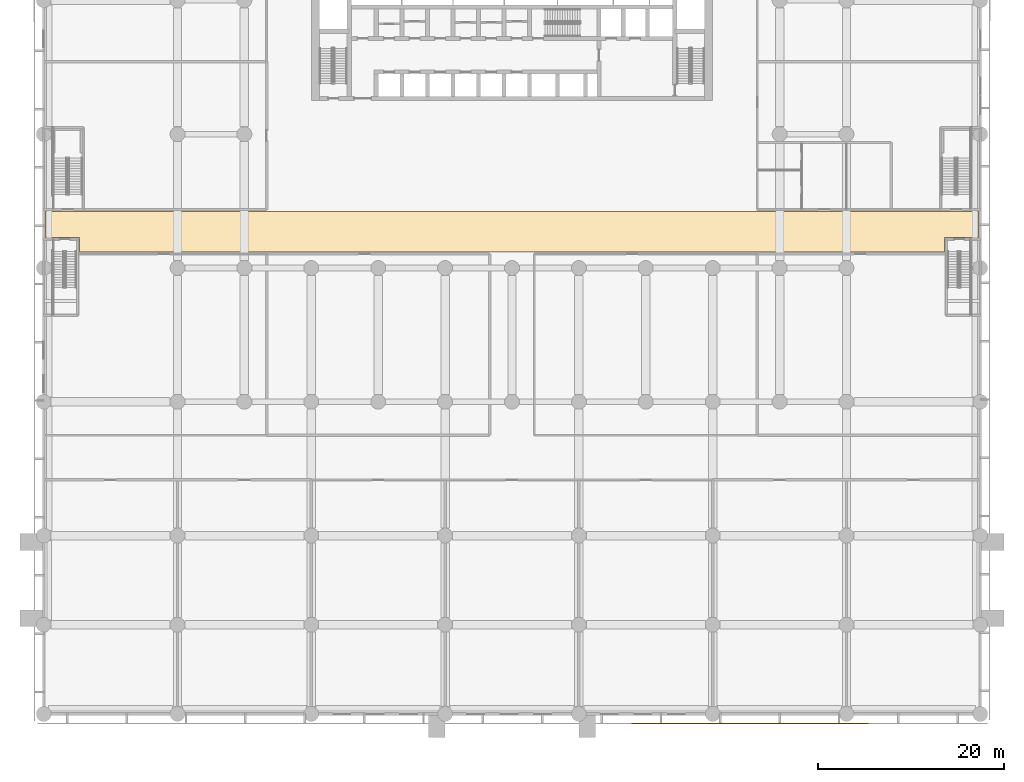
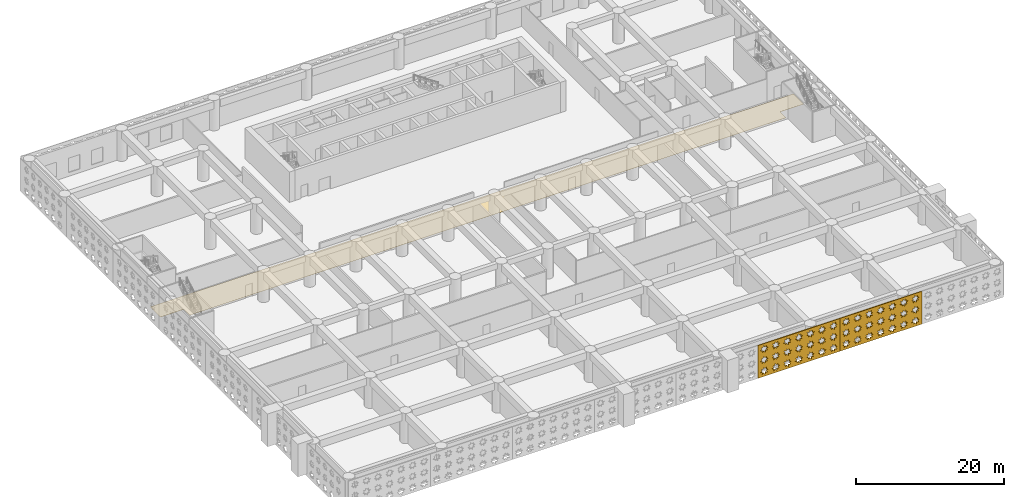
# One storey, part 19 of 30: 3 coverings.
"""IFC4 building model written with IfcOpenShell, lengths in metres."""

from ifc_helpers import new_model, si_unit, direction, frame, origin, place, context, subcontext, project, spatial, polyline, outline, extrude, material, layer, layer_set, type_object, element, save


model = new_model("IFC4")

# Units and contexts
model_context = context("Model", 3, precision=1e-05, world=origin(), true_north=direction((0.0, 1.0)))
body_context = subcontext(model_context, "Body", "Model", "MODEL_VIEW")
ifc_project = project(units=[si_unit("LENGTHUNIT", "METRE"), si_unit("AREAUNIT", "SQUARE_METRE"), si_unit("VOLUMEUNIT", "CUBIC_METRE"), si_unit("PLANEANGLEUNIT", "RADIAN"), si_unit("MASSUNIT", "GRAM", prefix="KILO")], contexts=[model_context])

# Site, building, storey
site_placement = place(None, origin())
site = spatial("IfcSite", under=ifc_project, at=site_placement, CompositionType="ELEMENT")
building_placement = place(site_placement, origin())
building = spatial("IfcBuilding", under=site, at=building_placement, Name="Saffron Iwan Residences", CompositionType="ELEMENT")
storey_placement = place(building_placement, frame((0.0, 0.0, 7.800048828125)))
storey = spatial("IfcBuildingStorey", under=building, at=storey_placement, Name="L01", CompositionType="ELEMENT", Elevation=7.800048828125)

# Coverings
ifc_material_1 = material(Name="Carpet flooring")
ifc_layer_1 = layer(ifc_material_1, 0.010009765625)
ifc_layer_set_1 = layer_set([ifc_layer_1], Name="Carpet flooring")
covering_type_1 = type_object("IfcCoveringType", Name="Carpet flooring 10", PredefinedType="FLOORING", material=ifc_layer_set_1)
covering_1_placement = place(storey_placement, origin())
element("IfcCovering", 1, at=covering_1_placement, inside=storey, type_object=covering_type_1, Name="Podium corridor flooring", PredefinedType="FLOORING", context=body_context, shape_type="SweptSolid", body=[
    extrude(outline(polyline([(100.60009765625, 51.300048828125), (96.949951171875, 51.300048828125), (96.949951171875, 49.699951171875), (3.85009765625, 49.699951171875), (3.85009765625, 51.300048828125), (0.199951171875, 51.300048828125), (0.199951171875, 54.10009765625), (100.60009765625, 54.10009765625), (100.60009765625, 51.300048828125)])), origin(), (0.0, 0.0, 1.0), 0.010009765625),
])
ifc_material_2 = material(Name="Terracotta screen, precast concrete C40/50", Category="masonry")
ifc_layer_2 = layer(ifc_material_2, 0.1201171875)
ifc_layer_set_2 = layer_set([ifc_layer_2], Name="Terracotta screen, precast concrete C40/50")
covering_type_2 = type_object("IfcCoveringType", Name="PODIUM SCREEN GIRIH", PredefinedType="CLADDING", material=ifc_layer_set_2)
covering_2_placement = place(storey_placement, frame((63.237548828125, -0.949951171875, -0.400146484375), z_axis=(0.0, -1.0, 0.0), x_axis=(1.0, 0.0, 0.0)))
element("IfcCovering", 2, at=covering_2_placement, inside=storey, type_object=covering_type_2, Name="SCREEN girih terracotta L01 F0.5", PredefinedType="CLADDING", context=body_context, shape_type="SweptSolid", body=[
    extrude(outline(polyline([(0.0, 0.0), (12.777587890625, 0.0), (12.777587890625, 5.39990234375), (0.0, 5.39990234375), (0.0, 0.0)]), holes=[polyline([(1.5966796875, 1.02099609375), (1.271484375, 1.0888671875), (1.333251953125, 1.41552734375), (1.05517578125, 1.2333984375), (0.867919921875, 1.508056640625), (0.7998046875, 1.1826171875), (0.47314453125, 1.244384765625), (0.6552734375, 0.96630859375), (0.380615234375, 0.779052734375), (0.7060546875, 0.711181640625), (0.644287109375, 0.384521484375), (0.92236328125, 0.56640625), (1.109619140625, 0.2919921875), (1.177490234375, 0.6171875), (1.50439453125, 0.555419921875), (1.322265625, 0.833740234375), (1.5966796875, 1.02099609375)]), polyline([(1.5966796875, 2.821044921875), (1.271484375, 2.888916015625), (1.333251953125, 3.215576171875), (1.05517578125, 3.033447265625), (0.867919921875, 3.30810546875), (0.7998046875, 2.982666015625), (0.47314453125, 3.04443359375), (0.6552734375, 2.766357421875), (0.380615234375, 2.5791015625), (0.7060546875, 2.510986328125), (0.644287109375, 2.1845703125), (0.92236328125, 2.366455078125), (1.109619140625, 2.091796875), (1.177490234375, 2.417236328125), (1.50439453125, 2.35546875), (1.322265625, 2.6337890625), (1.5966796875, 2.821044921875)]), polyline([(1.5966796875, 4.62109375), (1.271484375, 4.68896484375), (1.333251953125, 5.015380859375), (1.05517578125, 4.83349609375), (0.867919921875, 5.108154296875), (0.7998046875, 4.78271484375), (0.47314453125, 4.844482421875), (0.6552734375, 4.56640625), (0.380615234375, 4.37890625), (0.7060546875, 4.31103515625), (0.644287109375, 3.984619140625), (0.92236328125, 4.16650390625), (1.109619140625, 3.891845703125), (1.177490234375, 4.21728515625), (1.50439453125, 4.155517578125), (1.322265625, 4.43359375), (1.5966796875, 4.62109375)]), polyline([(3.396728515625, 1.02099609375), (3.0712890625, 1.0888671875), (3.13330078125, 1.41552734375), (2.85498046875, 1.2333984375), (2.667724609375, 1.508056640625), (2.599853515625, 1.1826171875), (2.273193359375, 1.244384765625), (2.455322265625, 0.96630859375), (2.1806640625, 0.779052734375), (2.506103515625, 0.711181640625), (2.4443359375, 0.384521484375), (2.722412109375, 0.56640625), (2.90966796875, 0.2919921875), (2.9775390625, 0.6171875), (3.30419921875, 0.555419921875), (3.122314453125, 0.833740234375), (3.396728515625, 1.02099609375)]), polyline([(3.396728515625, 2.821044921875), (3.0712890625, 2.888916015625), (3.13330078125, 3.215576171875), (2.85498046875, 3.033447265625), (2.667724609375, 3.30810546875), (2.599853515625, 2.982666015625), (2.273193359375, 3.04443359375), (2.455322265625, 2.766357421875), (2.1806640625, 2.5791015625), (2.506103515625, 2.510986328125), (2.4443359375, 2.1845703125), (2.722412109375, 2.366455078125), (2.90966796875, 2.091796875), (2.9775390625, 2.417236328125), (3.30419921875, 2.35546875), (3.122314453125, 2.6337890625), (3.396728515625, 2.821044921875)]), polyline([(3.396728515625, 4.62109375), (3.0712890625, 4.68896484375), (3.13330078125, 5.015380859375), (2.85498046875, 4.83349609375), (2.667724609375, 5.108154296875), (2.599853515625, 4.78271484375), (2.273193359375, 4.844482421875), (2.455322265625, 4.56640625), (2.1806640625, 4.37890625), (2.506103515625, 4.31103515625), (2.4443359375, 3.984619140625), (2.722412109375, 4.16650390625), (2.90966796875, 3.891845703125), (2.9775390625, 4.21728515625), (3.30419921875, 4.155517578125), (3.122314453125, 4.43359375), (3.396728515625, 4.62109375)]), polyline([(5.19677734375, 1.02099609375), (4.871337890625, 1.0888671875), (4.93310546875, 1.41552734375), (4.655029296875, 1.2333984375), (4.4677734375, 1.508056640625), (4.39990234375, 1.1826171875), (4.0732421875, 1.244384765625), (4.25537109375, 0.96630859375), (3.980712890625, 0.779052734375), (4.30615234375, 0.711181640625), (4.244384765625, 0.384521484375), (4.5224609375, 0.56640625), (4.709716796875, 0.2919921875), (4.777587890625, 0.6171875), (5.104248046875, 0.555419921875), (4.922119140625, 0.833740234375), (5.19677734375, 1.02099609375)]), polyline([(5.19677734375, 2.821044921875), (4.871337890625, 2.888916015625), (4.93310546875, 3.215576171875), (4.655029296875, 3.033447265625), (4.4677734375, 3.30810546875), (4.39990234375, 2.982666015625), (4.0732421875, 3.04443359375), (4.25537109375, 2.766357421875), (3.980712890625, 2.5791015625), (4.30615234375, 2.510986328125), (4.244384765625, 2.1845703125), (4.5224609375, 2.366455078125), (4.709716796875, 2.091796875), (4.777587890625, 2.417236328125), (5.104248046875, 2.35546875), (4.922119140625, 2.6337890625), (5.19677734375, 2.821044921875)]), polyline([(5.19677734375, 4.62109375), (4.871337890625, 4.68896484375), (4.93310546875, 5.015380859375), (4.655029296875, 4.83349609375), (4.4677734375, 5.108154296875), (4.39990234375, 4.78271484375), (4.0732421875, 4.844482421875), (4.25537109375, 4.56640625), (3.980712890625, 4.37890625), (4.30615234375, 4.31103515625), (4.244384765625, 3.984619140625), (4.5224609375, 4.16650390625), (4.709716796875, 3.891845703125), (4.777587890625, 4.21728515625), (5.104248046875, 4.155517578125), (4.922119140625, 4.43359375), (5.19677734375, 4.62109375)]), polyline([(6.996826171875, 1.02099609375), (6.67138671875, 1.0888671875), (6.733154296875, 1.41552734375), (6.455078125, 1.2333984375), (6.267822265625, 1.508056640625), (6.199951171875, 1.1826171875), (5.873291015625, 1.244384765625), (6.055419921875, 0.96630859375), (5.78076171875, 0.779052734375), (6.106201171875, 0.711181640625), (6.044189453125, 0.384521484375), (6.322509765625, 0.56640625), (6.509765625, 0.2919921875), (6.57763671875, 0.6171875), (6.904296875, 0.555419921875), (6.72216796875, 0.833740234375), (6.996826171875, 1.02099609375)]), polyline([(6.996826171875, 2.821044921875), (6.67138671875, 2.888916015625), (6.733154296875, 3.215576171875), (6.455078125, 3.033447265625), (6.267822265625, 3.30810546875), (6.199951171875, 2.982666015625), (5.873291015625, 3.04443359375), (6.055419921875, 2.766357421875), (5.78076171875, 2.5791015625), (6.106201171875, 2.510986328125), (6.044189453125, 2.1845703125), (6.322509765625, 2.366455078125), (6.509765625, 2.091796875), (6.57763671875, 2.417236328125), (6.904296875, 2.35546875), (6.72216796875, 2.6337890625), (6.996826171875, 2.821044921875)]), polyline([(6.996826171875, 4.62109375), (6.67138671875, 4.68896484375), (6.733154296875, 5.015380859375), (6.455078125, 4.83349609375), (6.267822265625, 5.108154296875), (6.199951171875, 4.78271484375), (5.873291015625, 4.844482421875), (6.055419921875, 4.56640625), (5.78076171875, 4.37890625), (6.106201171875, 4.31103515625), (6.044189453125, 3.984619140625), (6.322509765625, 4.16650390625), (6.509765625, 3.891845703125), (6.57763671875, 4.21728515625), (6.904296875, 4.155517578125), (6.72216796875, 4.43359375), (6.996826171875, 4.62109375)]), polyline([(8.796875, 1.02099609375), (8.471435546875, 1.0888671875), (8.533203125, 1.41552734375), (8.255126953125, 1.2333984375), (8.06787109375, 1.508056640625), (8.0, 1.1826171875), (7.673095703125, 1.244384765625), (7.855224609375, 0.96630859375), (7.580810546875, 0.779052734375), (7.906005859375, 0.711181640625), (7.84423828125, 0.384521484375), (8.122314453125, 0.56640625), (8.309814453125, 0.2919921875), (8.377685546875, 0.6171875), (8.704345703125, 0.555419921875), (8.522216796875, 0.833740234375), (8.796875, 1.02099609375)]), polyline([(8.796875, 2.821044921875), (8.471435546875, 2.888916015625), (8.533203125, 3.215576171875), (8.255126953125, 3.033447265625), (8.06787109375, 3.30810546875), (8.0, 2.982666015625), (7.673095703125, 3.04443359375), (7.855224609375, 2.766357421875), (7.580810546875, 2.5791015625), (7.906005859375, 2.510986328125), (7.84423828125, 2.1845703125), (8.122314453125, 2.366455078125), (8.309814453125, 2.091796875), (8.377685546875, 2.417236328125), (8.704345703125, 2.35546875), (8.522216796875, 2.6337890625), (8.796875, 2.821044921875)]), polyline([(8.796875, 4.62109375), (8.471435546875, 4.68896484375), (8.533203125, 5.015380859375), (8.255126953125, 4.83349609375), (8.06787109375, 5.108154296875), (8.0, 4.78271484375), (7.673095703125, 4.844482421875), (7.855224609375, 4.56640625), (7.580810546875, 4.37890625), (7.906005859375, 4.31103515625), (7.84423828125, 3.984619140625), (8.122314453125, 4.16650390625), (8.309814453125, 3.891845703125), (8.377685546875, 4.21728515625), (8.704345703125, 4.155517578125), (8.522216796875, 4.43359375), (8.796875, 4.62109375)]), polyline([(10.5966796875, 1.02099609375), (10.271484375, 1.0888671875), (10.333251953125, 1.41552734375), (10.05517578125, 1.2333984375), (9.867919921875, 1.508056640625), (9.7998046875, 1.1826171875), (9.47314453125, 1.244384765625), (9.6552734375, 0.96630859375), (9.380615234375, 0.779052734375), (9.7060546875, 0.711181640625), (9.644287109375, 0.384521484375), (9.92236328125, 0.56640625), (10.109619140625, 0.2919921875), (10.177490234375, 0.6171875), (10.50439453125, 0.555419921875), (10.322265625, 0.833740234375), (10.5966796875, 1.02099609375)]), polyline([(10.5966796875, 2.821044921875), (10.271484375, 2.888916015625), (10.333251953125, 3.215576171875), (10.05517578125, 3.033447265625), (9.867919921875, 3.30810546875), (9.7998046875, 2.982666015625), (9.47314453125, 3.04443359375), (9.6552734375, 2.766357421875), (9.380615234375, 2.5791015625), (9.7060546875, 2.510986328125), (9.644287109375, 2.1845703125), (9.92236328125, 2.366455078125), (10.109619140625, 2.091796875), (10.177490234375, 2.417236328125), (10.50439453125, 2.35546875), (10.322265625, 2.6337890625), (10.5966796875, 2.821044921875)]), polyline([(10.5966796875, 4.62109375), (10.271484375, 4.68896484375), (10.333251953125, 5.015380859375), (10.05517578125, 4.83349609375), (9.867919921875, 5.108154296875), (9.7998046875, 4.78271484375), (9.47314453125, 4.844482421875), (9.6552734375, 4.56640625), (9.380615234375, 4.37890625), (9.7060546875, 4.31103515625), (9.644287109375, 3.984619140625), (9.92236328125, 4.16650390625), (10.109619140625, 3.891845703125), (10.177490234375, 4.21728515625), (10.50439453125, 4.155517578125), (10.322265625, 4.43359375), (10.5966796875, 4.62109375)]), polyline([(12.396728515625, 1.02099609375), (12.0712890625, 1.0888671875), (12.13330078125, 1.41552734375), (11.85498046875, 1.2333984375), (11.667724609375, 1.508056640625), (11.599853515625, 1.1826171875), (11.273193359375, 1.244384765625), (11.455322265625, 0.96630859375), (11.1806640625, 0.779052734375), (11.506103515625, 0.711181640625), (11.4443359375, 0.384521484375), (11.722412109375, 0.56640625), (11.90966796875, 0.2919921875), (11.9775390625, 0.6171875), (12.30419921875, 0.555419921875), (12.122314453125, 0.833740234375), (12.396728515625, 1.02099609375)]), polyline([(12.396728515625, 2.821044921875), (12.0712890625, 2.888916015625), (12.13330078125, 3.215576171875), (11.85498046875, 3.033447265625), (11.667724609375, 3.30810546875), (11.599853515625, 2.982666015625), (11.273193359375, 3.04443359375), (11.455322265625, 2.766357421875), (11.1806640625, 2.5791015625), (11.506103515625, 2.510986328125), (11.4443359375, 2.1845703125), (11.722412109375, 2.366455078125), (11.90966796875, 2.091796875), (11.9775390625, 2.417236328125), (12.30419921875, 2.35546875), (12.122314453125, 2.6337890625), (12.396728515625, 2.821044921875)]), polyline([(12.396728515625, 4.62109375), (12.0712890625, 4.68896484375), (12.13330078125, 5.015380859375), (11.85498046875, 4.83349609375), (11.667724609375, 5.108154296875), (11.599853515625, 4.78271484375), (11.273193359375, 4.844482421875), (11.455322265625, 4.56640625), (11.1806640625, 4.37890625), (11.506103515625, 4.31103515625), (11.4443359375, 3.984619140625), (11.722412109375, 4.16650390625), (11.90966796875, 3.891845703125), (11.9775390625, 4.21728515625), (12.30419921875, 4.155517578125), (12.122314453125, 4.43359375), (12.396728515625, 4.62109375)])]), origin(), (0.0, 0.0, 1.0), 0.1201171875),
])
covering_3_placement = place(storey_placement, frame((76.014892578125, -0.949951171875, -0.400146484375), z_axis=(0.0, -1.0, 0.0), x_axis=(1.0, 0.0, 0.0)))
element("IfcCovering", 3, at=covering_3_placement, inside=storey, type_object=covering_type_2, Name="SCREEN girih terracotta L01 F0.6", PredefinedType="CLADDING", context=body_context, shape_type="SweptSolid", body=[
    extrude(outline(polyline([(0.0, 0.0), (12.777587890625, 0.0), (12.777587890625, 5.39990234375), (0.0, 5.39990234375), (0.0, 0.0)]), holes=[polyline([(1.5966796875, 1.02099609375), (1.271484375, 1.0888671875), (1.333251953125, 1.41552734375), (1.05517578125, 1.2333984375), (0.867919921875, 1.508056640625), (0.7998046875, 1.1826171875), (0.47314453125, 1.244384765625), (0.6552734375, 0.96630859375), (0.380615234375, 0.779052734375), (0.7060546875, 0.711181640625), (0.644287109375, 0.384521484375), (0.92236328125, 0.56640625), (1.109619140625, 0.2919921875), (1.177490234375, 0.6171875), (1.50439453125, 0.555419921875), (1.322265625, 0.833740234375), (1.5966796875, 1.02099609375)]), polyline([(1.5966796875, 2.821044921875), (1.271484375, 2.888916015625), (1.333251953125, 3.215576171875), (1.05517578125, 3.033447265625), (0.867919921875, 3.30810546875), (0.7998046875, 2.982666015625), (0.47314453125, 3.04443359375), (0.6552734375, 2.766357421875), (0.380615234375, 2.5791015625), (0.7060546875, 2.510986328125), (0.644287109375, 2.1845703125), (0.92236328125, 2.366455078125), (1.109619140625, 2.091796875), (1.177490234375, 2.417236328125), (1.50439453125, 2.35546875), (1.322265625, 2.6337890625), (1.5966796875, 2.821044921875)]), polyline([(1.5966796875, 4.62109375), (1.271484375, 4.68896484375), (1.333251953125, 5.015380859375), (1.05517578125, 4.83349609375), (0.867919921875, 5.108154296875), (0.7998046875, 4.78271484375), (0.47314453125, 4.844482421875), (0.6552734375, 4.56640625), (0.380615234375, 4.37890625), (0.7060546875, 4.31103515625), (0.644287109375, 3.984619140625), (0.92236328125, 4.16650390625), (1.109619140625, 3.891845703125), (1.177490234375, 4.21728515625), (1.50439453125, 4.155517578125), (1.322265625, 4.43359375), (1.5966796875, 4.62109375)]), polyline([(3.396728515625, 1.02099609375), (3.0712890625, 1.0888671875), (3.13330078125, 1.41552734375), (2.85498046875, 1.2333984375), (2.667724609375, 1.508056640625), (2.599853515625, 1.1826171875), (2.273193359375, 1.244384765625), (2.455322265625, 0.96630859375), (2.1806640625, 0.779052734375), (2.506103515625, 0.711181640625), (2.4443359375, 0.384521484375), (2.722412109375, 0.56640625), (2.90966796875, 0.2919921875), (2.9775390625, 0.6171875), (3.30419921875, 0.555419921875), (3.122314453125, 0.833740234375), (3.396728515625, 1.02099609375)]), polyline([(3.396728515625, 2.821044921875), (3.0712890625, 2.888916015625), (3.13330078125, 3.215576171875), (2.85498046875, 3.033447265625), (2.667724609375, 3.30810546875), (2.599853515625, 2.982666015625), (2.273193359375, 3.04443359375), (2.455322265625, 2.766357421875), (2.1806640625, 2.5791015625), (2.506103515625, 2.510986328125), (2.4443359375, 2.1845703125), (2.722412109375, 2.366455078125), (2.90966796875, 2.091796875), (2.9775390625, 2.417236328125), (3.30419921875, 2.35546875), (3.122314453125, 2.6337890625), (3.396728515625, 2.821044921875)]), polyline([(3.396728515625, 4.62109375), (3.0712890625, 4.68896484375), (3.13330078125, 5.015380859375), (2.85498046875, 4.83349609375), (2.667724609375, 5.108154296875), (2.599853515625, 4.78271484375), (2.273193359375, 4.844482421875), (2.455322265625, 4.56640625), (2.1806640625, 4.37890625), (2.506103515625, 4.31103515625), (2.4443359375, 3.984619140625), (2.722412109375, 4.16650390625), (2.90966796875, 3.891845703125), (2.9775390625, 4.21728515625), (3.30419921875, 4.155517578125), (3.122314453125, 4.43359375), (3.396728515625, 4.62109375)]), polyline([(5.19677734375, 1.02099609375), (4.871337890625, 1.0888671875), (4.93310546875, 1.41552734375), (4.655029296875, 1.2333984375), (4.4677734375, 1.508056640625), (4.39990234375, 1.1826171875), (4.0732421875, 1.244384765625), (4.25537109375, 0.96630859375), (3.980712890625, 0.779052734375), (4.30615234375, 0.711181640625), (4.244384765625, 0.384521484375), (4.5224609375, 0.56640625), (4.709716796875, 0.2919921875), (4.777587890625, 0.6171875), (5.104248046875, 0.555419921875), (4.922119140625, 0.833740234375), (5.19677734375, 1.02099609375)]), polyline([(5.19677734375, 2.821044921875), (4.871337890625, 2.888916015625), (4.93310546875, 3.215576171875), (4.655029296875, 3.033447265625), (4.4677734375, 3.30810546875), (4.39990234375, 2.982666015625), (4.0732421875, 3.04443359375), (4.25537109375, 2.766357421875), (3.980712890625, 2.5791015625), (4.30615234375, 2.510986328125), (4.244384765625, 2.1845703125), (4.5224609375, 2.366455078125), (4.709716796875, 2.091796875), (4.777587890625, 2.417236328125), (5.104248046875, 2.35546875), (4.922119140625, 2.6337890625), (5.19677734375, 2.821044921875)]), polyline([(5.19677734375, 4.62109375), (4.871337890625, 4.68896484375), (4.93310546875, 5.015380859375), (4.655029296875, 4.83349609375), (4.4677734375, 5.108154296875), (4.39990234375, 4.78271484375), (4.0732421875, 4.844482421875), (4.25537109375, 4.56640625), (3.980712890625, 4.37890625), (4.30615234375, 4.31103515625), (4.244384765625, 3.984619140625), (4.5224609375, 4.16650390625), (4.709716796875, 3.891845703125), (4.777587890625, 4.21728515625), (5.104248046875, 4.155517578125), (4.922119140625, 4.43359375), (5.19677734375, 4.62109375)]), polyline([(6.996826171875, 1.02099609375), (6.67138671875, 1.0888671875), (6.733154296875, 1.41552734375), (6.455078125, 1.2333984375), (6.267822265625, 1.508056640625), (6.199951171875, 1.1826171875), (5.873291015625, 1.244384765625), (6.055419921875, 0.96630859375), (5.78076171875, 0.779052734375), (6.106201171875, 0.711181640625), (6.044189453125, 0.384521484375), (6.322509765625, 0.56640625), (6.509765625, 0.2919921875), (6.57763671875, 0.6171875), (6.904296875, 0.555419921875), (6.72216796875, 0.833740234375), (6.996826171875, 1.02099609375)]), polyline([(6.996826171875, 2.821044921875), (6.67138671875, 2.888916015625), (6.733154296875, 3.215576171875), (6.455078125, 3.033447265625), (6.267822265625, 3.30810546875), (6.199951171875, 2.982666015625), (5.873291015625, 3.04443359375), (6.055419921875, 2.766357421875), (5.78076171875, 2.5791015625), (6.106201171875, 2.510986328125), (6.044189453125, 2.1845703125), (6.322509765625, 2.366455078125), (6.509765625, 2.091796875), (6.57763671875, 2.417236328125), (6.904296875, 2.35546875), (6.72216796875, 2.6337890625), (6.996826171875, 2.821044921875)]), polyline([(6.996826171875, 4.62109375), (6.67138671875, 4.68896484375), (6.733154296875, 5.015380859375), (6.455078125, 4.83349609375), (6.267822265625, 5.108154296875), (6.199951171875, 4.78271484375), (5.873291015625, 4.844482421875), (6.055419921875, 4.56640625), (5.78076171875, 4.37890625), (6.106201171875, 4.31103515625), (6.044189453125, 3.984619140625), (6.322509765625, 4.16650390625), (6.509765625, 3.891845703125), (6.57763671875, 4.21728515625), (6.904296875, 4.155517578125), (6.72216796875, 4.43359375), (6.996826171875, 4.62109375)]), polyline([(8.796875, 1.02099609375), (8.471435546875, 1.0888671875), (8.533203125, 1.41552734375), (8.255126953125, 1.2333984375), (8.06787109375, 1.508056640625), (8.0, 1.1826171875), (7.673095703125, 1.244384765625), (7.855224609375, 0.96630859375), (7.580810546875, 0.779052734375), (7.906005859375, 0.711181640625), (7.84423828125, 0.384521484375), (8.122314453125, 0.56640625), (8.309814453125, 0.2919921875), (8.377685546875, 0.6171875), (8.704345703125, 0.555419921875), (8.522216796875, 0.833740234375), (8.796875, 1.02099609375)]), polyline([(8.796875, 2.821044921875), (8.471435546875, 2.888916015625), (8.533203125, 3.215576171875), (8.255126953125, 3.033447265625), (8.06787109375, 3.30810546875), (8.0, 2.982666015625), (7.673095703125, 3.04443359375), (7.855224609375, 2.766357421875), (7.580810546875, 2.5791015625), (7.906005859375, 2.510986328125), (7.84423828125, 2.1845703125), (8.122314453125, 2.366455078125), (8.309814453125, 2.091796875), (8.377685546875, 2.417236328125), (8.704345703125, 2.35546875), (8.522216796875, 2.6337890625), (8.796875, 2.821044921875)]), polyline([(8.796875, 4.62109375), (8.471435546875, 4.68896484375), (8.533203125, 5.015380859375), (8.255126953125, 4.83349609375), (8.06787109375, 5.108154296875), (8.0, 4.78271484375), (7.673095703125, 4.844482421875), (7.855224609375, 4.56640625), (7.580810546875, 4.37890625), (7.906005859375, 4.31103515625), (7.84423828125, 3.984619140625), (8.122314453125, 4.16650390625), (8.309814453125, 3.891845703125), (8.377685546875, 4.21728515625), (8.704345703125, 4.155517578125), (8.522216796875, 4.43359375), (8.796875, 4.62109375)]), polyline([(10.5966796875, 1.02099609375), (10.271484375, 1.0888671875), (10.333251953125, 1.41552734375), (10.05517578125, 1.2333984375), (9.867919921875, 1.508056640625), (9.7998046875, 1.1826171875), (9.47314453125, 1.244384765625), (9.6552734375, 0.96630859375), (9.380615234375, 0.779052734375), (9.7060546875, 0.711181640625), (9.644287109375, 0.384521484375), (9.92236328125, 0.56640625), (10.109619140625, 0.2919921875), (10.177490234375, 0.6171875), (10.50439453125, 0.555419921875), (10.322265625, 0.833740234375), (10.5966796875, 1.02099609375)]), polyline([(10.5966796875, 2.821044921875), (10.271484375, 2.888916015625), (10.333251953125, 3.215576171875), (10.05517578125, 3.033447265625), (9.867919921875, 3.30810546875), (9.7998046875, 2.982666015625), (9.47314453125, 3.04443359375), (9.6552734375, 2.766357421875), (9.380615234375, 2.5791015625), (9.7060546875, 2.510986328125), (9.644287109375, 2.1845703125), (9.92236328125, 2.366455078125), (10.109619140625, 2.091796875), (10.177490234375, 2.417236328125), (10.50439453125, 2.35546875), (10.322265625, 2.6337890625), (10.5966796875, 2.821044921875)]), polyline([(10.5966796875, 4.62109375), (10.271484375, 4.68896484375), (10.333251953125, 5.015380859375), (10.05517578125, 4.83349609375), (9.867919921875, 5.108154296875), (9.7998046875, 4.78271484375), (9.47314453125, 4.844482421875), (9.6552734375, 4.56640625), (9.380615234375, 4.37890625), (9.7060546875, 4.31103515625), (9.644287109375, 3.984619140625), (9.92236328125, 4.16650390625), (10.109619140625, 3.891845703125), (10.177490234375, 4.21728515625), (10.50439453125, 4.155517578125), (10.322265625, 4.43359375), (10.5966796875, 4.62109375)]), polyline([(12.396728515625, 1.02099609375), (12.0712890625, 1.0888671875), (12.13330078125, 1.41552734375), (11.85498046875, 1.2333984375), (11.667724609375, 1.508056640625), (11.599853515625, 1.1826171875), (11.273193359375, 1.244384765625), (11.455322265625, 0.96630859375), (11.1806640625, 0.779052734375), (11.506103515625, 0.711181640625), (11.4443359375, 0.384521484375), (11.722412109375, 0.56640625), (11.90966796875, 0.2919921875), (11.9775390625, 0.6171875), (12.30419921875, 0.555419921875), (12.122314453125, 0.833740234375), (12.396728515625, 1.02099609375)]), polyline([(12.396728515625, 2.821044921875), (12.0712890625, 2.888916015625), (12.13330078125, 3.215576171875), (11.85498046875, 3.033447265625), (11.667724609375, 3.30810546875), (11.599853515625, 2.982666015625), (11.273193359375, 3.04443359375), (11.455322265625, 2.766357421875), (11.1806640625, 2.5791015625), (11.506103515625, 2.510986328125), (11.4443359375, 2.1845703125), (11.722412109375, 2.366455078125), (11.90966796875, 2.091796875), (11.9775390625, 2.417236328125), (12.30419921875, 2.35546875), (12.122314453125, 2.6337890625), (12.396728515625, 2.821044921875)]), polyline([(12.396728515625, 4.62109375), (12.0712890625, 4.68896484375), (12.13330078125, 5.015380859375), (11.85498046875, 4.83349609375), (11.667724609375, 5.108154296875), (11.599853515625, 4.78271484375), (11.273193359375, 4.844482421875), (11.455322265625, 4.56640625), (11.1806640625, 4.37890625), (11.506103515625, 4.31103515625), (11.4443359375, 3.984619140625), (11.722412109375, 4.16650390625), (11.90966796875, 3.891845703125), (11.9775390625, 4.21728515625), (12.30419921875, 4.155517578125), (12.122314453125, 4.43359375), (12.396728515625, 4.62109375)])]), origin(), (0.0, 0.0, 1.0), 0.1201171875),
])

save(model, "model.ifc")
